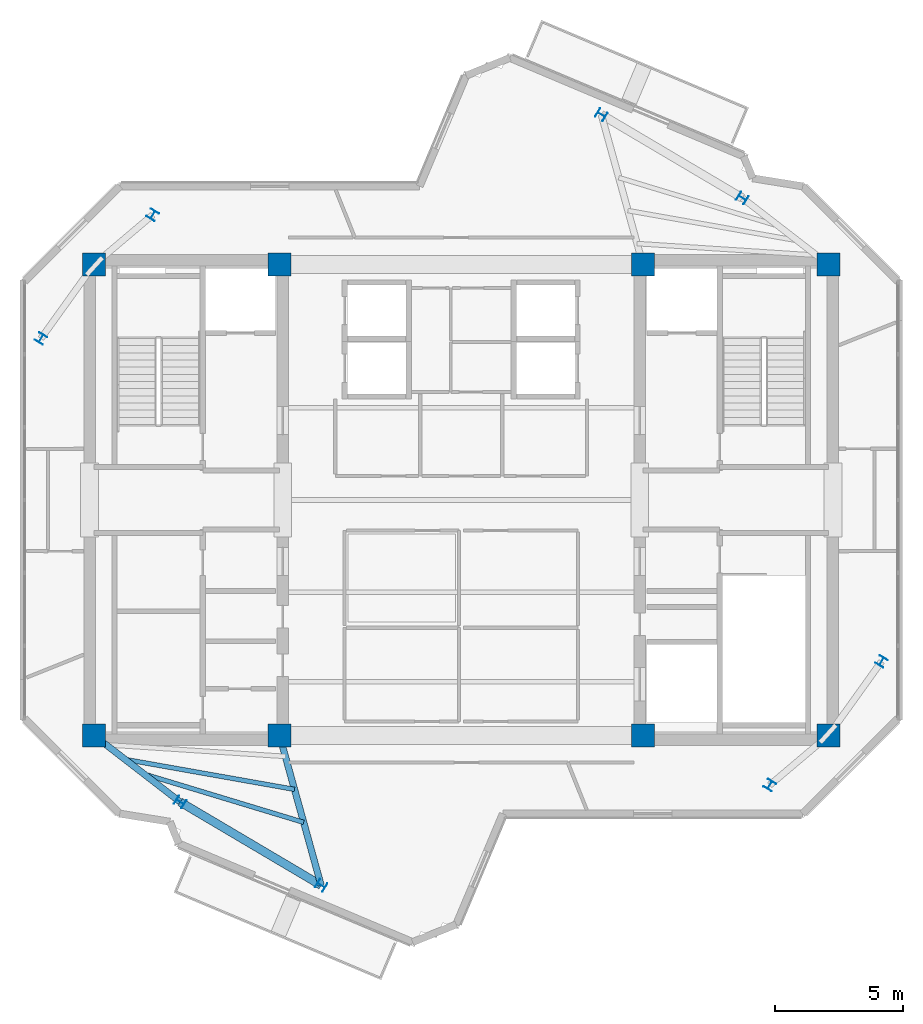
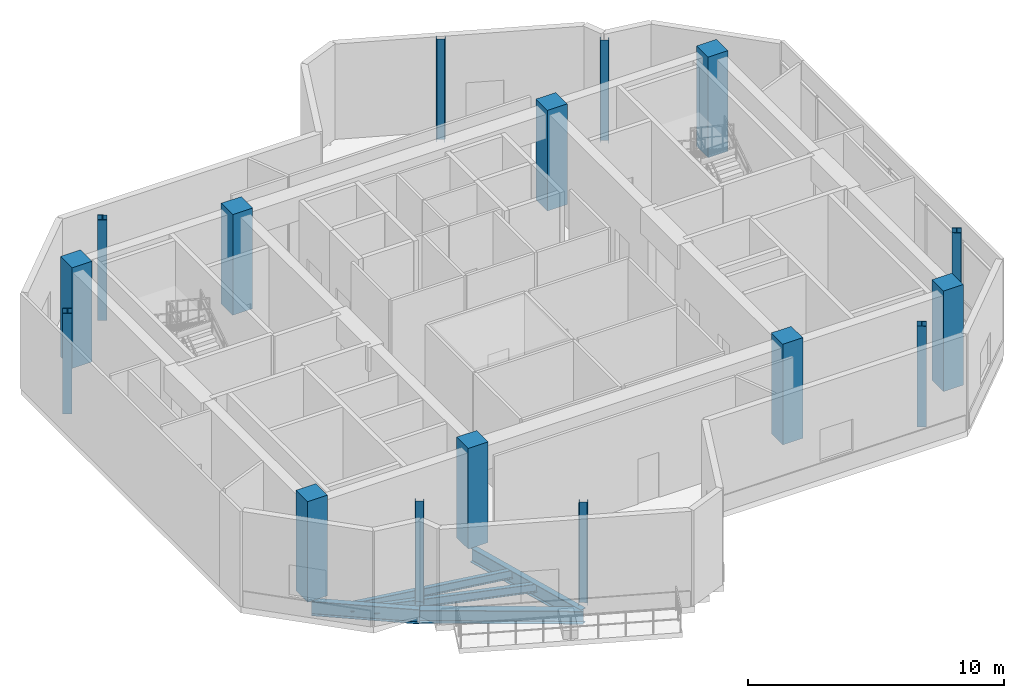
# One storey, part 1 of 11: 16 columns, 5 beams.
"""IFC4 building model written with IfcOpenShell, lengths in metres."""

from ifc_helpers import new_model, si_unit, direction, frame, origin, origin_2d, place, context, subcontext, project, spatial, rectangle, i_section, extrude, source, transform, mapped, material, material_profile, profile_set, type_object, element, save


model = new_model("IFC4")

# Units and contexts
model_context = context("Model", 3, precision=1e-05, world=origin(), true_north=direction((0.0, 1.0)))
body_context = subcontext(model_context, "Body", "Model", "MODEL_VIEW")
ifc_project = project(units=[si_unit("LENGTHUNIT", "METRE"), si_unit("AREAUNIT", "SQUARE_METRE"), si_unit("VOLUMEUNIT", "CUBIC_METRE"), si_unit("PLANEANGLEUNIT", "RADIAN"), si_unit("MASSUNIT", "GRAM", prefix="KILO")], contexts=[model_context])

# Site, building, storey
site_placement = place(None, origin())
site = spatial("IfcSite", under=ifc_project, at=site_placement, CompositionType="ELEMENT")
building_placement = place(site_placement, origin())
building = spatial("IfcBuilding", under=site, at=building_placement, Name="Zahravan Cultural Tower", CompositionType="ELEMENT")
storey_placement = place(building_placement, frame((0.0, 0.0, 365.85009765625)))
storey = spatial("IfcBuildingStorey", under=building, at=storey_placement, Name="L89", CompositionType="ELEMENT", Elevation=365.85009765625)

# Columns
ifc_material_1 = material(Name="Concrete C50/60", Category="concrete")
ifc_material_profile_1 = material_profile(ifc_material_1, rectangle(XDim=0.89990234375, YDim=0.89990234375, at=origin_2d()), Name="RC900X900")
ifc_profile_set_1 = profile_set([ifc_material_profile_1], Name="Concrete C50/60")
column_type_1 = type_object("IfcColumnType", Name="COL-RC900", PredefinedType="COLUMN", material=ifc_profile_set_1)
shared_shape_1 = source(origin(), body_context, "Body", "SweptSolid", [
    extrude(rectangle(XDim=0.89990234375, YDim=0.89990234375, at=origin_2d()), origin(), (0.0, 0.0, 1.0), 4.7998046875),
])
for number, where, z_axis, x_axis, name in (
    (1, (21.64990234375, 17.800048828125, 0.0), (0.0, 0.0, 1.0), (1.0, 0.0, 0.0), "L89 Column CC-W1"),
    (2, (28.89990234375, 17.800048828125, 0.0), (0.0, 0.0, 1.0), (1.0, 0.0, 0.0), "L89 Column CC-W2"),
    (3, (21.64990234375, 36.199951171875, 0.0), (0.0, 0.0, 1.0), (1.0, 0.0, 0.0), "L89 Column CC-W3"),
    (4, (28.89990234375, 36.199951171875, 0.0), (0.0, 0.0, 1.0), (1.0, 0.0, 0.0), "L89 Column CC-W4"),
    (5, (43.10009765625, 17.800048828125, 0.0), (0.0, 0.0, 1.0), (1.0, 0.0, 0.0), "L89 Column CC-E1"),
    (6, (50.35009765625, 17.800048828125, 0.0), (0.0, 0.0, 1.0), (1.0, 0.0, 0.0), "L89 Column CC-E2"),
    (7, (43.10009765625, 36.199951171875, 0.0), (0.0, 0.0, 1.0), (1.0, 0.0, 0.0), "L89 Column CC-E3"),
    (8, (50.35009765625, 36.199951171875, 0.0), (0.0, 0.0, 1.0), (1.0, 0.0, 0.0), "L89 Column CC-E4"),
):
    element("IfcColumn", number, at=place(storey_placement, frame(where, z_axis=z_axis, x_axis=x_axis)), inside=storey, type_object=column_type_1, Name=name, PredefinedType="COLUMN", context=body_context, shape_type="MappedRepresentation", body=[
        mapped(shared_shape_1, transform((0.0, 0.0, 0.0), x_axis=(1.0, 0.0, 0.0), y_axis=(0.0, 1.0, 0.0), z_axis=(0.0, 0.0, 1.0), scale=1.0)),
    ])
ifc_material_2 = material(Name="Steel ASTM A992 Grade 50", Category="steel")
ifc_material_profile_2 = material_profile(ifc_material_2, i_section(OverallWidth=0.368896484375, OverallDepth=0.35595703125, WebThickness=0.01123046875, FlangeThickness=0.01806640625, FilletRadius=0.01806640625, at=origin_2d()), Name="W14X90")
ifc_profile_set_2 = profile_set([ifc_material_profile_2], Name="Steel ASTM A992 Grade 50")
column_type_2 = type_object("IfcColumnType", Name="COL-W14X90", PredefinedType="COLUMN", material=ifc_profile_set_2)
shared_shape_2 = source(origin(), body_context, "Body", "SweptSolid", [
    extrude(i_section(OverallWidth=0.368896484375, OverallDepth=0.35595703125, WebThickness=0.01123046875, FlangeThickness=0.01806640625, FilletRadius=0.01806640625, at=origin_2d()), origin(), (0.0, 0.0, 1.0), 4.7998046875),
])
for number, where, z_axis, x_axis, name in (
    (9, (46.98388671875, 38.7998046875, 0.0), (0.0, 0.0, 1.0), (0.522498564716, 0.852640164354, 0.0), "L89 Column Z4C-E1"),
    (10, (41.474853515625, 42.058349609375, 0.0), (0.0, 0.0, 1.0), (0.522498564716, 0.852640164354, 0.0), "L89 Column Z4C-E2"),
    (11, (23.944580078125, 38.140625, 0.0), (0.0, 0.0, 1.0), (-0.852640164354, 0.522498564716, 0.0), "L89 Column Z4C-N1"),
    (12, (19.577392578125, 33.310791015625, 0.0), (0.0, 0.0, 1.0), (-0.852640164354, 0.522498564716, 0.0), "L89 Column Z4C-N2"),
    (13, (25.01611328125, 15.2001953125, 0.0), (0.0, 0.0, 1.0), (0.522498564716, 0.852640164354, 0.0), "L89 Column Z4C-W1"),
    (14, (30.525146484375, 11.941650390625, 0.0), (0.0, 0.0, 1.0), (0.522498564716, 0.852640164354, 0.0), "L89 Column Z4C-W2"),
    (15, (48.055419921875, 15.859375, 0.0), (0.0, 0.0, 1.0), (-0.852640164354, 0.522498564716, 0.0), "L89 Column Z4C-S1"),
    (16, (52.422607421875, 20.689208984375, 0.0), (0.0, 0.0, 1.0), (-0.852640164354, 0.522498564716, 0.0), "L89 Column Z4C-S2"),
):
    element("IfcColumn", number, at=place(storey_placement, frame(where, z_axis=z_axis, x_axis=x_axis)), inside=storey, type_object=column_type_2, Name=name, PredefinedType="COLUMN", context=body_context, shape_type="MappedRepresentation", body=[
        mapped(shared_shape_2, transform((0.0, 0.0, 0.0), x_axis=(1.0, 0.0, 0.0), y_axis=(0.0, 1.0, 0.0), z_axis=(0.0, 0.0, 1.0), scale=1.0)),
    ])

# Beams
ifc_material_profile_3 = material_profile(ifc_material_2, i_section(OverallWidth=0.326904296875, OverallDepth=0.6220703125, WebThickness=0.015380859375, FlangeThickness=0.0244140625, FilletRadius=0.014892578125, at=origin_2d()), Name="W24X131")
ifc_profile_set_3 = profile_set([ifc_material_profile_3], Name="Steel ASTM A992 Grade 50")
beam_type_1 = type_object("IfcBeamType", Name="BM-SP-W24X131", PredefinedType="SPANDREL", material=ifc_profile_set_3)
shared_shape_3 = source(origin(), body_context, "Body", "SweptSolid", [
    extrude(i_section(OverallWidth=0.326904296875, OverallDepth=0.6220703125, WebThickness=0.015380859375, FlangeThickness=0.0244140625, FilletRadius=0.014892578125, at=origin_2d()), origin(), (0.0, 0.0, 1.0), 6.400634765625),
])
beam_1_placement = place(storey_placement, frame((25.01611328125, 15.2001953125, -0.611083984375), z_axis=(0.860706991833, -0.509100652337, 0.0), x_axis=(0.509100652337, 0.860706991833, 0.0)))
element("IfcBeam", 17, at=beam_1_placement, inside=storey, type_object=beam_type_1, Name="L89 Beam SP-L89-15", PredefinedType="SPANDREL", context=body_context, shape_type="MappedRepresentation", body=[
    mapped(shared_shape_3, transform((0.0, 0.0, 0.0), x_axis=(1.0, 0.0, 0.0), y_axis=(0.0, 1.0, 0.0), z_axis=(0.0, 0.0, 1.0), scale=1.0)),
])
ifc_material_profile_4 = material_profile(ifc_material_2, i_section(OverallWidth=0.177978515625, OverallDepth=0.406005859375, WebThickness=0.0078125, FlangeThickness=0.0126953125, FilletRadius=0.011962890625, at=origin_2d()), Name="W16X40")
ifc_profile_set_4 = profile_set([ifc_material_profile_4], Name="Steel ASTM A992 Grade 50")
beam_type_2 = type_object("IfcBeamType", Name="BM-J-W16X40", PredefinedType="JOIST", material=ifc_profile_set_4)
shared_shape_4 = source(origin(), body_context, "Body", "SweptSolid", [
    extrude(i_section(OverallWidth=0.177978515625, OverallDepth=0.406005859375, WebThickness=0.0078125, FlangeThickness=0.0126953125, FilletRadius=0.011962890625, at=origin_2d()), origin(), (0.0, 0.0, 1.0), 6.726318359375),
])
beam_2_placement = place(storey_placement, frame((22.86181640625, 16.864013671875, -0.503173828125), z_axis=(0.98467447748, -0.17440233198, 0.0), x_axis=(0.17440233198, 0.98467447748, 0.0)))
element("IfcBeam", 18, at=beam_2_placement, inside=storey, type_object=beam_type_2, Name="L89 Beam BJ-L89-26", PredefinedType="JOIST", context=body_context, shape_type="MappedRepresentation", body=[
    mapped(shared_shape_4, transform((0.0, 0.0, 0.0), x_axis=(1.0, 0.0, 0.0), y_axis=(0.0, 1.0, 0.0), z_axis=(0.0, 0.0, 1.0), scale=1.0)),
])
shared_shape_5 = source(origin(), body_context, "Body", "SweptSolid", [
    extrude(i_section(OverallWidth=0.177978515625, OverallDepth=0.406005859375, WebThickness=0.0078125, FlangeThickness=0.0126953125, FilletRadius=0.011962890625, at=origin_2d()), origin(), (0.0, 0.0, 1.0), 6.520263671875),
])
beam_3_placement = place(storey_placement, frame((23.602294921875, 16.292236328125, -0.503173828125), z_axis=(0.957060297679, -0.289888921151, 0.0), x_axis=(0.289888921151, 0.957060297679, 0.0)))
element("IfcBeam", 19, at=beam_3_placement, inside=storey, type_object=beam_type_2, Name="L89 Beam BJ-L89-28", PredefinedType="JOIST", context=body_context, shape_type="MappedRepresentation", body=[
    mapped(shared_shape_5, transform((0.0, 0.0, 0.0), x_axis=(1.0, 0.0, 0.0), y_axis=(0.0, 1.0, 0.0), z_axis=(0.0, 0.0, 1.0), scale=1.0)),
])
ifc_material_profile_5 = material_profile(ifc_material_2, i_section(OverallWidth=0.25390625, OverallDepth=0.68798828125, WebThickness=0.01318359375, FlangeThickness=0.02099609375, FilletRadius=0.01806640625, at=origin_2d()), Name="W27X102")
ifc_profile_set_5 = profile_set([ifc_material_profile_5], Name="Steel ASTM A992 Grade 50")
beam_type_3 = type_object("IfcBeamType", Name="BM-G-W27X102", PredefinedType="BEAM", material=ifc_profile_set_5)
shared_shape_6 = source(origin(), body_context, "Body", "SweptSolid", [
    extrude(i_section(OverallWidth=0.25390625, OverallDepth=0.68798828125, WebThickness=0.01318359375, FlangeThickness=0.02099609375, FilletRadius=0.01806640625, at=origin_2d()), origin(), (0.0, 0.0, 1.0), 4.25341796875),
])
beam_4_placement = place(storey_placement, frame((21.64990234375, 17.800048828125, -0.64404296875), z_axis=(0.791433936253, -0.611254713313, 0.0), x_axis=(0.611254713313, 0.791433936253, 0.0)))
element("IfcBeam", 20, at=beam_4_placement, inside=storey, type_object=beam_type_3, Name="L89 Beam BG-L89-07", PredefinedType="BEAM", context=body_context, shape_type="MappedRepresentation", body=[
    mapped(shared_shape_6, transform((0.0, 0.0, 0.0), x_axis=(1.0, 0.0, 0.0), y_axis=(0.0, 1.0, 0.0), z_axis=(0.0, 0.0, 1.0), scale=1.0)),
])
shared_shape_7 = source(origin(), body_context, "Body", "SweptSolid", [
    extrude(i_section(OverallWidth=0.25390625, OverallDepth=0.68798828125, WebThickness=0.01318359375, FlangeThickness=0.02099609375, FilletRadius=0.01806640625, at=origin_2d()), origin(), (0.0, 0.0, 1.0), 6.07958984375),
])
beam_5_placement = place(storey_placement, frame((28.89990234375, 17.800048828125, -0.64404296875), z_axis=(0.267324894686, -0.963606455292, 0.0), x_axis=(0.963606455292, 0.267324894686, 0.0)))
element("IfcBeam", 21, at=beam_5_placement, inside=storey, type_object=beam_type_3, Name="L89 Beam BG-L89-08", PredefinedType="BEAM", context=body_context, shape_type="MappedRepresentation", body=[
    mapped(shared_shape_7, transform((0.0, 0.0, 0.0), x_axis=(1.0, 0.0, 0.0), y_axis=(0.0, 1.0, 0.0), z_axis=(0.0, 0.0, 1.0), scale=1.0)),
])

save(model, "model.ifc")
